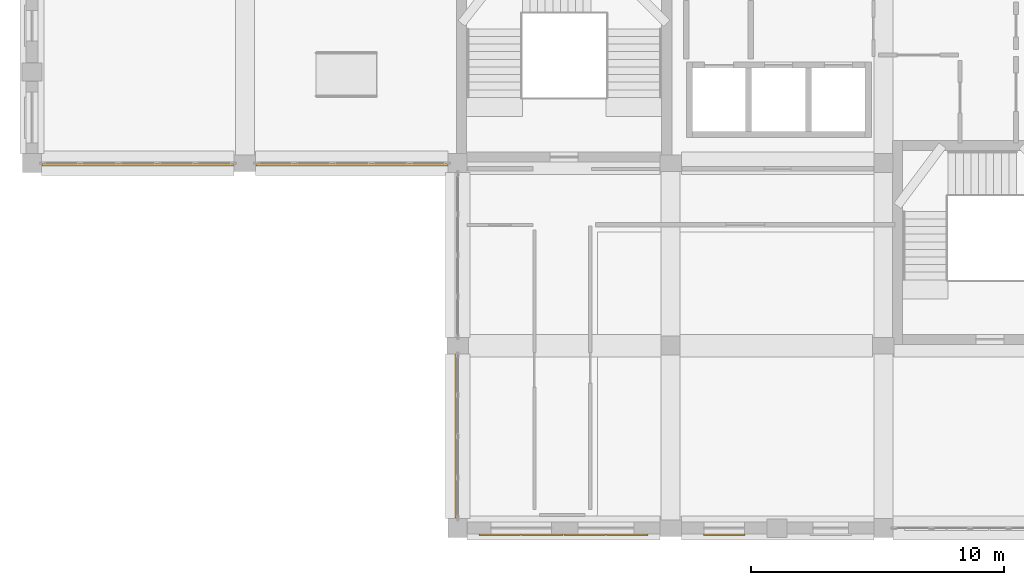
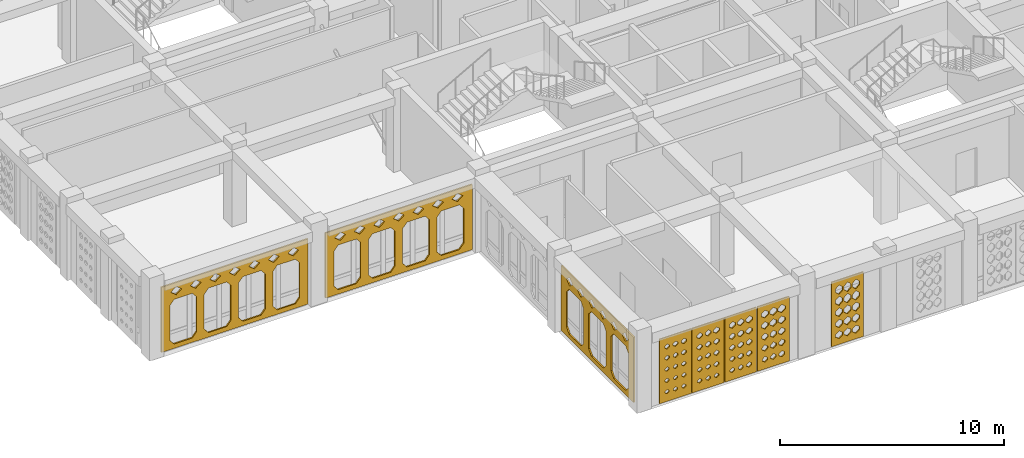
# One storey, part 90 of 121: 8 coverings.
"""IFC4 building model written with IfcOpenShell, lengths in metres."""

import ifcopenshell
import ifcopenshell.guid

model = None  # the IFC model being written
_history = None  # IfcOwnerHistory: only IFC2X3 demands one
_inside = {}  # id of a spatial element -> (the spatial element, [elements in it])
_under = {}  # id of a project, library or spatial element -> (it, [spatial elements below it])
_declared = {}  # id of a project -> (the project, [libraries it declares])
_typed = {}  # id of a type object -> (the type object, [elements of that type])
_made_of = {}  # id of a material, layer set ... -> (it, [elements and type objects made of it])


def new_model(schema):
    """Start an empty IFC model of exactly this schema.

    Asked for "IFC4X3", IfcOpenShell would pick the latest addendum, in which some entities
    have other attributes; the version numbers below select the first issue.
    IFC2X3 requires an IfcOwnerHistory on every rooted entity: one is made here for all.
    """
    global model, _history
    if schema == "IFC4X3":
        model = ifcopenshell.file(schema_version=(4, 3, 0, 0))
    else:
        model = ifcopenshell.file(schema=schema)
    _inside.clear()
    _under.clear()
    _declared.clear()
    _typed.clear()
    _made_of.clear()
    _history = None
    if model.schema == "IFC2X3":
        org = make("IfcOrganization", Name="unknown")
        user = make(
            "IfcPersonAndOrganization",
            ThePerson=make("IfcPerson", FamilyName="unknown"),
            TheOrganization=org,
        )
        app = make(
            "IfcApplication",
            ApplicationDeveloper=org,
            Version="unknown",
            ApplicationFullName="unknown",
            ApplicationIdentifier="unknown",
        )
        _history = make(
            "IfcOwnerHistory",
            OwningUser=user,
            OwningApplication=app,
            ChangeAction="ADDED",
            CreationDate=0,
        )
    return model


def make(cls, **values):
    """One entity of the class cls with the attributes given. An attribute that is None is left unset."""
    return model.create_entity(
        cls, **{name: value for name, value in values.items() if value is not None}
    )


def rooted(cls, **values):
    """An entity with a GlobalId (a new one), such as an element, a storey or a relation."""
    return make(cls, GlobalId=ifcopenshell.guid.new(), OwnerHistory=_history, **values)


def si_unit(unit_type, name, prefix=None):
    """IfcSIUnit, for example si_unit("LENGTHUNIT", "METRE", prefix="MILLI")."""
    return make("IfcSIUnit", UnitType=unit_type, Prefix=prefix, Name=name)


def derived_unit(unit_type, elements):
    """IfcDerivedUnit: a product of units, each with its exponent."""
    return make(
        "IfcDerivedUnit",
        Elements=[
            make("IfcDerivedUnitElement", Unit=unit, Exponent=power)
            for unit, power in elements
        ],
        UnitType=unit_type,
    )


def assignment(units):
    """IfcUnitAssignment: the units of a project."""
    return None if units is None else make("IfcUnitAssignment", Units=units)


def point(xyz):
    """IfcCartesianPoint."""
    return None if xyz is None else make("IfcCartesianPoint", Coordinates=xyz)


def direction(xyz):
    """IfcDirection."""
    return None if xyz is None else make("IfcDirection", DirectionRatios=xyz)


def frame(location, z_axis=None, x_axis=None):
    """IfcAxis2Placement3D, a coordinate frame: its origin and axes. An axis left out is left unset."""
    return make(
        "IfcAxis2Placement3D",
        Location=point(location),
        Axis=direction(z_axis),
        RefDirection=direction(x_axis),
    )


def origin():
    """The frame at (0, 0, 0) with its axes left unset."""
    return frame((0.0, 0.0, 0.0))


def place(relative_to, where):
    """IfcLocalPlacement: puts the frame where relative to a parent placement (None: the world)."""
    return make(
        "IfcLocalPlacement", PlacementRelTo=relative_to, RelativePlacement=where
    )


def context(
    kind, dimensions, precision=None, world=None, true_north=None, identifier=None
):
    """IfcGeometricRepresentationContext, for example the 3D "Model" context."""
    return make(
        "IfcGeometricRepresentationContext",
        ContextIdentifier=identifier,
        ContextType=kind,
        CoordinateSpaceDimension=dimensions,
        Precision=precision,
        WorldCoordinateSystem=world,
        TrueNorth=true_north,
    )


def subcontext(parent, identifier, kind, view, scale=None):
    """IfcGeometricRepresentationSubContext, for example "Body" below "Model"."""
    return make(
        "IfcGeometricRepresentationSubContext",
        ContextIdentifier=identifier,
        ContextType=kind,
        ParentContext=parent,
        TargetScale=scale,
        TargetView=view,
    )


def project(units=None, contexts=None):
    """IfcProject with its units and contexts."""
    return rooted(
        "IfcProject",
        Name="project",
        RepresentationContexts=contexts,
        UnitsInContext=assignment(units),
    )


def spatial(cls, under=None, at=None, **own):
    """A site, building, storey or space (cls), placed at a placement, below another one or the project."""
    s = rooted(cls, ObjectPlacement=at, **own)
    if under is not None:
        _under.setdefault(under.id(), (under, []))[1].append(s)
    return s


def polyline(points):
    """IfcPolyline through the points."""
    return make("IfcPolyline", Points=[point(p) for p in points])


def outline(outer, holes=None, kind="AREA"):
    """IfcArbitraryClosedProfileDef: a profile drawn as a closed curve; with holes, ...WithVoids."""
    if holes is None:
        return make("IfcArbitraryClosedProfileDef", ProfileType=kind, OuterCurve=outer)
    return make(
        "IfcArbitraryProfileDefWithVoids",
        ProfileType=kind,
        OuterCurve=outer,
        InnerCurves=holes,
    )


def extrude(swept, where, along, depth):
    """IfcExtrudedAreaSolid: the profile swept, set in the frame where, extruded along a direction by depth."""
    return make(
        "IfcExtrudedAreaSolid",
        SweptArea=swept,
        Position=where,
        ExtrudedDirection=direction(along),
        Depth=depth,
    )


def shape(context_of_items, identifier, shape_type, items):
    """IfcShapeRepresentation: the items that make up one representation, for example the "Body"."""
    return make(
        "IfcShapeRepresentation",
        ContextOfItems=context_of_items,
        RepresentationIdentifier=identifier,
        RepresentationType=shape_type,
        Items=items,
    )


def material(Name=None, Category=None):
    """IfcMaterial."""
    return make("IfcMaterial", Name=Name, Category=Category)


def layer(
    of_material, thickness, ventilated=None, Name=None, Category=None, Priority=None
):
    """IfcMaterialLayer: one layer of a wall or slab, of a material (None: an air gap)."""
    return make(
        "IfcMaterialLayer",
        Material=of_material,
        LayerThickness=thickness,
        IsVentilated=ventilated,
        Name=Name,
        Category=Category,
        Priority=Priority,
    )


def layer_set(layers, Name=None):
    """IfcMaterialLayerSet."""
    return make("IfcMaterialLayerSet", MaterialLayers=layers, LayerSetName=Name)


def made_of(thing, what):
    """Note that an element or type object is made of a material, layer set ...; save() writes the relation."""
    if what is not None:
        _made_of.setdefault(what.id(), (what, []))[1].append(thing)
    return thing


def type_object(cls, material=None, **own):
    """A type object (cls), such as IfcWallType, which elements share."""
    return made_of(rooted(cls, **own), material)


def element(
    cls,
    number,
    at=None,
    inside=None,
    cuts=None,
    type_object=None,
    material=None,
    context=None,
    identifier="Body",
    shape_type=None,
    held_by="IfcProductDefinitionShape",
    body=None,
    shapes=None,
    **own,
):
    """One element of the class cls, such as IfcWall. Its Tag is "e" and its number.

    at: its placement. inside: the storey or other place that contains it. cuts: it is an
    opening in that element (IfcRelVoidsElement). A single representation is given by context,
    identifier, shape_type and body (its items); several are given by shapes. held_by: the class
    of the entity that holds the representations. save() writes the other relations.
    """
    e = rooted(cls, Tag="e%d" % number, ObjectPlacement=at, **own)
    if body is not None:
        shapes = [shape(context, identifier, shape_type, body)]
    if shapes is not None:
        e.Representation = make(held_by, Representations=shapes)
    if inside is not None:
        _inside.setdefault(inside.id(), (inside, []))[1].append(e)
    if cuts is not None:
        rooted(
            "IfcRelVoidsElement", RelatingBuildingElement=cuts, RelatedOpeningElement=e
        )
    if type_object is not None:
        _typed.setdefault(type_object.id(), (type_object, []))[1].append(e)
    return made_of(e, material)


def aggregate(whole, parts):
    """IfcRelAggregates: a whole, such as a stair, and the parts it consists of."""
    return rooted("IfcRelAggregates", RelatingObject=whole, RelatedObjects=parts)


def save(model, path):
    """Write the relations noted so far, then the file.

    IfcRelAggregates (storeys below a building ...), IfcRelContainedInSpatialStructure (elements
    in a storey), IfcRelDefinesByType, IfcRelAssociatesMaterial and IfcRelDeclares: one each for
    every whole, place, type object, material and project.
    """
    for whole, parts in _under.values():
        aggregate(whole, parts)
    for where, things in _inside.values():
        rooted(
            "IfcRelContainedInSpatialStructure",
            RelatedElements=things,
            RelatingStructure=where,
        )
    for kind, things in _typed.values():
        rooted("IfcRelDefinesByType", RelatedObjects=things, RelatingType=kind)
    for what, things in _made_of.values():
        rooted("IfcRelAssociatesMaterial", RelatedObjects=things, RelatingMaterial=what)
    for by, libraries in _declared.values():
        rooted("IfcRelDeclares", RelatingContext=by, RelatedDefinitions=libraries)
    model.write(path)


model = new_model("IFC4")

# Units and contexts
model_context = context("Model", 3, precision=1e-05, world=origin(), true_north=direction((0.0, 1.0)))
body_context = subcontext(model_context, "Body", "Model", "MODEL_VIEW")
ifc_project = project(units=[si_unit("LENGTHUNIT", "METRE"), si_unit("AREAUNIT", "SQUARE_METRE"), si_unit("VOLUMEUNIT", "CUBIC_METRE"), si_unit("PLANEANGLEUNIT", "RADIAN"), si_unit("MASSUNIT", "GRAM", prefix="KILO"), derived_unit("THERMALTRANSMITTANCEUNIT", [(si_unit("POWERUNIT", "WATT"), 1), (si_unit("LENGTHUNIT", "METRE"), -2), (si_unit("THERMODYNAMICTEMPERATUREUNIT", "KELVIN"), -1)])], contexts=[model_context])

# Site, building, storey
site_placement = place(None, origin())
site = spatial("IfcSite", under=ifc_project, at=site_placement, CompositionType="ELEMENT")
building_placement = place(site_placement, origin())
building = spatial("IfcBuilding", under=site, at=building_placement, Name="Veybourne Emporium", CompositionType="ELEMENT")
storey_placement = place(building_placement, frame((0.0, 0.0, 5.39990234375)))
storey = spatial("IfcBuildingStorey", under=building, at=storey_placement, Name="L01", CompositionType="ELEMENT", Elevation=5.39990234375)

# Coverings
ifc_material_1 = material(Name="Patinated Dark Bronze Fretwork", Category="bronze")
ifc_layer_1 = layer(ifc_material_1, 0.074951171875)
ifc_layer_set_1 = layer_set([ifc_layer_1], Name="Patinated Dark Bronze Fretwork")
covering_type_1 = type_object("IfcCoveringType", Name="Fretwork_FRT-02", PredefinedType="CLADDING", material=ifc_layer_set_1)
covering_1_placement = place(storey_placement, frame((4.175048828125, 14.28955078125, 1.815185546875), z_axis=(0.0, 1.0, 0.0), x_axis=(-1.0, 0.0, 0.0)))
element("IfcCovering", 1, at=covering_1_placement, inside=storey, type_object=covering_type_1, Name="Corner entrance dark bronze lace fretwork portal L01-001", PredefinedType="CLADDING", context=body_context, shape_type="SweptSolid", body=[
    extrude(outline(polyline([(-3.780029296875, -1.77490234375), (3.780029296875, -1.77490234375), (3.780029296875, 1.77490234375), (-3.780029296875, 1.77490234375), (-3.780029296875, -1.77490234375)]), holes=[polyline([(-3.12451171875, 0.89501953125), (-2.185546875, 0.89501953125), (-1.964599609375, 0.627685546875), (-1.964599609375, -1.267578125), (-2.185546875, -1.534912109375), (-3.12451171875, -1.534912109375), (-3.34521484375, -1.267578125), (-3.34521484375, 0.627685546875), (-3.12451171875, 0.89501953125)]), polyline([(-1.3544921875, 0.89501953125), (-0.41552734375, 0.89501953125), (-0.194580078125, 0.627685546875), (-0.194580078125, -1.267578125), (-0.41552734375, -1.534912109375), (-1.3544921875, -1.534912109375), (-1.5751953125, -1.267578125), (-1.5751953125, 0.627685546875), (-1.3544921875, 0.89501953125)]), polyline([(0.41552734375, 0.89501953125), (1.3544921875, 0.89501953125), (1.5751953125, 0.627685546875), (1.5751953125, -1.267578125), (1.3544921875, -1.534912109375), (0.41552734375, -1.534912109375), (0.194580078125, -1.267578125), (0.194580078125, 0.627685546875), (0.41552734375, 0.89501953125)]), polyline([(2.185546875, 0.89501953125), (3.12451171875, 0.89501953125), (3.34521484375, 0.627685546875), (3.34521484375, -1.267578125), (3.12451171875, -1.534912109375), (2.185546875, -1.534912109375), (1.964599609375, -1.267578125), (1.964599609375, 0.627685546875), (2.185546875, 0.89501953125)]), polyline([(-3.01708984375, 1.56298828125), (-2.737060546875, 1.3349609375), (-3.01708984375, 1.10693359375), (-3.297119140625, 1.3349609375), (-3.01708984375, 1.56298828125)]), polyline([(-2.011474609375, 1.56298828125), (-1.7314453125, 1.3349609375), (-2.011474609375, 1.10693359375), (-2.29150390625, 1.3349609375), (-2.011474609375, 1.56298828125)]), polyline([(-1.005615234375, 1.56298828125), (-0.7255859375, 1.3349609375), (-1.005615234375, 1.10693359375), (-1.28564453125, 1.3349609375), (-1.005615234375, 1.56298828125)]), polyline([(0.0, 1.56298828125), (0.280029296875, 1.3349609375), (0.0, 1.10693359375), (-0.280029296875, 1.3349609375), (0.0, 1.56298828125)]), polyline([(1.005615234375, 1.56298828125), (1.28564453125, 1.3349609375), (1.005615234375, 1.10693359375), (0.7255859375, 1.3349609375), (1.005615234375, 1.56298828125)]), polyline([(2.011474609375, 1.56298828125), (2.29150390625, 1.3349609375), (2.011474609375, 1.10693359375), (1.7314453125, 1.3349609375), (2.011474609375, 1.56298828125)]), polyline([(3.01708984375, 1.56298828125), (3.297119140625, 1.3349609375), (3.01708984375, 1.10693359375), (2.737060546875, 1.3349609375), (3.01708984375, 1.56298828125)])]), origin(), (0.0, 0.0, 1.0), 0.074951171875),
])
covering_2_placement = place(storey_placement, frame((12.625, 14.2880859375, 1.815185546875), z_axis=(0.0, 1.0, 0.0), x_axis=(-1.0, 0.0, 0.0)))
element("IfcCovering", 2, at=covering_2_placement, inside=storey, type_object=covering_type_1, Name="Corner entrance dark bronze lace fretwork portal L01-012", PredefinedType="CLADDING", context=body_context, shape_type="SweptSolid", body=[
    extrude(outline(polyline([(-3.780029296875, -1.77490234375), (3.780029296875, -1.77490234375), (3.780029296875, 1.77490234375), (-3.780029296875, 1.77490234375), (-3.780029296875, -1.77490234375)]), holes=[polyline([(-3.12451171875, 0.89501953125), (-2.185546875, 0.89501953125), (-1.964599609375, 0.627685546875), (-1.964599609375, -1.267578125), (-2.185546875, -1.534912109375), (-3.12451171875, -1.534912109375), (-3.34521484375, -1.267578125), (-3.34521484375, 0.627685546875), (-3.12451171875, 0.89501953125)]), polyline([(-1.3544921875, 0.89501953125), (-0.41552734375, 0.89501953125), (-0.194580078125, 0.627685546875), (-0.194580078125, -1.267578125), (-0.41552734375, -1.534912109375), (-1.3544921875, -1.534912109375), (-1.5751953125, -1.267578125), (-1.5751953125, 0.627685546875), (-1.3544921875, 0.89501953125)]), polyline([(0.41552734375, 0.89501953125), (1.3544921875, 0.89501953125), (1.5751953125, 0.627685546875), (1.5751953125, -1.267578125), (1.3544921875, -1.534912109375), (0.41552734375, -1.534912109375), (0.194580078125, -1.267578125), (0.194580078125, 0.627685546875), (0.41552734375, 0.89501953125)]), polyline([(2.185546875, 0.89501953125), (3.12451171875, 0.89501953125), (3.34521484375, 0.627685546875), (3.34521484375, -1.267578125), (3.12451171875, -1.534912109375), (2.185546875, -1.534912109375), (1.964599609375, -1.267578125), (1.964599609375, 0.627685546875), (2.185546875, 0.89501953125)]), polyline([(-3.01708984375, 1.56298828125), (-2.737060546875, 1.3349609375), (-3.01708984375, 1.10693359375), (-3.297119140625, 1.3349609375), (-3.01708984375, 1.56298828125)]), polyline([(-2.011474609375, 1.56298828125), (-1.7314453125, 1.3349609375), (-2.011474609375, 1.10693359375), (-2.29150390625, 1.3349609375), (-2.011474609375, 1.56298828125)]), polyline([(-1.005615234375, 1.56298828125), (-0.7255859375, 1.3349609375), (-1.005615234375, 1.10693359375), (-1.28564453125, 1.3349609375), (-1.005615234375, 1.56298828125)]), polyline([(0.0, 1.56298828125), (0.280029296875, 1.3349609375), (0.0, 1.10693359375), (-0.280029296875, 1.3349609375), (0.0, 1.56298828125)]), polyline([(1.005615234375, 1.56298828125), (1.28564453125, 1.3349609375), (1.005615234375, 1.10693359375), (0.7255859375, 1.3349609375), (1.005615234375, 1.56298828125)]), polyline([(2.011474609375, 1.56298828125), (2.29150390625, 1.3349609375), (2.011474609375, 1.10693359375), (1.7314453125, 1.3349609375), (2.011474609375, 1.56298828125)]), polyline([(3.01708984375, 1.56298828125), (3.297119140625, 1.3349609375), (3.01708984375, 1.10693359375), (2.737060546875, 1.3349609375), (3.01708984375, 1.56298828125)])]), origin(), (0.0, 0.0, 1.0), 0.074951171875),
])
covering_3_placement = place(storey_placement, frame((16.69189453125, 3.625, 1.815185546875), z_axis=(1.0, 0.0, 0.0), x_axis=(0.0, 1.0, 0.0)))
element("IfcCovering", 3, at=covering_3_placement, inside=storey, type_object=covering_type_1, Name="Corner entrance dark bronze lace fretwork portal L01-015", PredefinedType="CLADDING", context=body_context, shape_type="SweptSolid", body=[
    extrude(outline(polyline([(-3.22998046875, -1.77490234375), (3.22998046875, -1.77490234375), (3.22998046875, 1.77490234375), (-3.22998046875, 1.77490234375), (-3.22998046875, -1.77490234375)]), holes=[polyline([(-2.52197265625, 0.89501953125), (-1.464599609375, 0.89501953125), (-1.2158203125, 0.627685546875), (-1.2158203125, -1.267578125), (-1.464599609375, -1.534912109375), (-2.52197265625, -1.534912109375), (-2.770751953125, -1.267578125), (-2.770751953125, 0.627685546875), (-2.52197265625, 0.89501953125)]), polyline([(-0.528564453125, 0.89501953125), (0.528564453125, 0.89501953125), (0.77734375, 0.627685546875), (0.77734375, -1.267578125), (0.528564453125, -1.534912109375), (-0.528564453125, -1.534912109375), (-0.77734375, -1.267578125), (-0.77734375, 0.627685546875), (-0.528564453125, 0.89501953125)]), polyline([(1.464599609375, 0.89501953125), (2.52197265625, 0.89501953125), (2.770751953125, 0.627685546875), (2.770751953125, -1.267578125), (2.52197265625, -1.534912109375), (1.464599609375, -1.534912109375), (1.2158203125, -1.267578125), (1.2158203125, 0.627685546875), (1.464599609375, 0.89501953125)]), polyline([(-2.47509765625, 1.56298828125), (-2.195068359375, 1.3349609375), (-2.47509765625, 1.10693359375), (-2.7548828125, 1.3349609375), (-2.47509765625, 1.56298828125)]), polyline([(-1.485107421875, 1.56298828125), (-1.205078125, 1.3349609375), (-1.485107421875, 1.10693359375), (-1.764892578125, 1.3349609375), (-1.485107421875, 1.56298828125)]), polyline([(-0.4951171875, 1.56298828125), (-0.215087890625, 1.3349609375), (-0.4951171875, 1.10693359375), (-0.77490234375, 1.3349609375), (-0.4951171875, 1.56298828125)]), polyline([(0.4951171875, 1.56298828125), (0.77490234375, 1.3349609375), (0.4951171875, 1.10693359375), (0.215087890625, 1.3349609375), (0.4951171875, 1.56298828125)]), polyline([(1.485107421875, 1.56298828125), (1.764892578125, 1.3349609375), (1.485107421875, 1.10693359375), (1.205078125, 1.3349609375), (1.485107421875, 1.56298828125)]), polyline([(2.47509765625, 1.56298828125), (2.7548828125, 1.3349609375), (2.47509765625, 1.10693359375), (2.195068359375, 1.3349609375), (2.47509765625, 1.56298828125)])]), origin(), (0.0, 0.0, 1.0), 0.074951171875),
])
ifc_material_2 = material(Name="Warm-White Perforated Aluminium Screen Alloy", Category="aluminium")
ifc_layer_2 = layer(ifc_material_2, 0.06005859375)
ifc_layer_set_2 = layer_set([ifc_layer_2], Name="Warm-White Perforated Aluminium Screen Alloy")
covering_type_2 = type_object("IfcCoveringType", Name="WaveScreen_SCR-01", PredefinedType="CLADDING", material=ifc_layer_set_2)
covering_4_placement = place(storey_placement, frame((23.4951171875, -0.298095703125, 1.815185546875), z_axis=(0.0, 1.0, 0.0), x_axis=(-1.0, 0.0, 0.0)))
element("IfcCovering", 4, at=covering_4_placement, inside=storey, type_object=covering_type_2, Name="L01 wave-perforated aluminium screen SCR-01 (14.1)", PredefinedType="CLADDING", context=body_context, shape_type="SweptSolid", body=[
    extrude(outline(polyline([(-0.81982421875, -1.7548828125), (0.81982421875, -1.7548828125), (0.81982421875, 1.7548828125), (-0.81982421875, 1.7548828125), (-0.81982421875, -1.7548828125)]), holes=[polyline([(-0.433349609375, -1.063720703125), (-0.288818359375, -1.168701171875), (-0.288818359375, -1.287109375), (-0.433349609375, -1.392333984375), (-0.577880859375, -1.287109375), (-0.577880859375, -1.168701171875), (-0.433349609375, -1.063720703125)]), polyline([(-0.433349609375, -0.435791015625), (-0.277587890625, -0.5498046875), (-0.277587890625, -0.677978515625), (-0.433349609375, -0.7919921875), (-0.589111328125, -0.677978515625), (-0.589111328125, -0.5498046875), (-0.433349609375, -0.435791015625)]), polyline([(-0.433349609375, 0.192138671875), (-0.26611328125, 0.069091796875), (-0.26611328125, -0.069091796875), (-0.433349609375, -0.192138671875), (-0.6005859375, -0.069091796875), (-0.6005859375, 0.069091796875), (-0.433349609375, 0.192138671875)]), polyline([(-0.433349609375, 0.8203125), (-0.254638671875, 0.688232421875), (-0.254638671875, 0.539794921875), (-0.433349609375, 0.40771484375), (-0.612060546875, 0.539794921875), (-0.612060546875, 0.688232421875), (-0.433349609375, 0.8203125)]), polyline([(-0.433349609375, 1.447998046875), (-0.2470703125, 1.30712890625), (-0.2470703125, 1.148681640625), (-0.433349609375, 1.008056640625), (-0.61962890625, 1.148681640625), (-0.61962890625, 1.30712890625), (-0.433349609375, 1.447998046875)]), polyline([(0.0, -1.069580078125), (0.1396484375, -1.1708984375), (0.1396484375, -1.284912109375), (0.0, -1.386474609375), (-0.1396484375, -1.284912109375), (-0.1396484375, -1.1708984375), (0.0, -1.069580078125)]), polyline([(0.0, -0.442138671875), (0.150390625, -0.55224609375), (0.150390625, -0.67578125), (0.0, -0.785888671875), (-0.150390625, -0.67578125), (-0.150390625, -0.55224609375), (0.0, -0.442138671875)]), polyline([(0.0, 0.185791015625), (0.162109375, 0.06689453125), (0.162109375, -0.06689453125), (0.0, -0.185791015625), (-0.162109375, -0.06689453125), (-0.162109375, 0.06689453125), (0.0, 0.185791015625)]), polyline([(0.0, 0.81396484375), (0.173583984375, 0.68603515625), (0.173583984375, 0.5419921875), (0.0, 0.4140625), (-0.173583984375, 0.5419921875), (-0.173583984375, 0.68603515625), (0.0, 0.81396484375)]), polyline([(0.0, 1.44189453125), (0.18505859375, 1.304931640625), (0.18505859375, 1.15087890625), (0.0, 1.01416015625), (-0.18505859375, 1.15087890625), (-0.18505859375, 1.304931640625), (0.0, 1.44189453125)]), polyline([(0.433349609375, -1.0751953125), (0.568115234375, -1.173095703125), (0.568115234375, -1.282958984375), (0.433349609375, -1.380615234375), (0.29833984375, -1.282958984375), (0.29833984375, -1.173095703125), (0.433349609375, -1.0751953125)]), polyline([(0.433349609375, -0.448486328125), (0.578857421875, -0.554443359375), (0.578857421875, -0.673583984375), (0.433349609375, -0.779541015625), (0.287841796875, -0.673583984375), (0.287841796875, -0.554443359375), (0.433349609375, -0.448486328125)]), polyline([(0.433349609375, 0.17919921875), (0.590087890625, 0.064697265625), (0.590087890625, -0.064697265625), (0.433349609375, -0.17919921875), (0.276611328125, -0.064697265625), (0.276611328125, 0.064697265625), (0.433349609375, 0.17919921875)]), polyline([(0.433349609375, 0.8076171875), (0.6015625, 0.68359375), (0.6015625, 0.544189453125), (0.433349609375, 0.42041015625), (0.264892578125, 0.544189453125), (0.264892578125, 0.68359375), (0.433349609375, 0.8076171875)]), polyline([(0.433349609375, 1.435546875), (0.61328125, 1.302734375), (0.61328125, 1.1533203125), (0.433349609375, 1.0205078125), (0.25341796875, 1.1533203125), (0.25341796875, 1.302734375), (0.433349609375, 1.435546875)])]), origin(), (0.0, 0.0, 1.0), 0.06005859375),
])
ifc_layer_3 = layer(ifc_material_2, 0.06005859375)
ifc_layer_set_3 = layer_set([ifc_layer_3], Name="Warm-White Perforated Aluminium Screen Alloy")
covering_type_3 = type_object("IfcCoveringType", Name="WaveScreen_SCR-02", PredefinedType="CLADDING", material=ifc_layer_set_3)
covering_5_placement = place(storey_placement, frame((21.81494140625, -0.298095703125, 1.815185546875), z_axis=(0.0, 1.0, 0.0), x_axis=(-1.0, 0.0, 0.0)))
element("IfcCovering", 5, at=covering_5_placement, inside=storey, type_object=covering_type_3, Name="L01 wave-perforated aluminium screen SCR-02 (14.2)", PredefinedType="CLADDING", context=body_context, shape_type="SweptSolid", body=[
    extrude(outline(polyline([(-0.81982421875, -1.7548828125), (0.81982421875, -1.7548828125), (0.81982421875, 1.7548828125), (-0.81982421875, 1.7548828125), (-0.81982421875, -1.7548828125)]), holes=[polyline([(-0.433349609375, -1.08544921875), (-0.306640625, -1.1767578125), (-0.306640625, -1.279296875), (-0.433349609375, -1.37060546875), (-0.56005859375, -1.279296875), (-0.56005859375, -1.1767578125), (-0.433349609375, -1.08544921875)]), polyline([(-0.433349609375, -0.45947265625), (-0.296875, -0.558349609375), (-0.296875, -0.669677734375), (-0.433349609375, -0.7685546875), (-0.56982421875, -0.669677734375), (-0.56982421875, -0.558349609375), (-0.433349609375, -0.45947265625)]), polyline([(-0.433349609375, 0.16748046875), (-0.2861328125, 0.060302734375), (-0.2861328125, -0.060302734375), (-0.433349609375, -0.16748046875), (-0.58056640625, -0.060302734375), (-0.58056640625, 0.060302734375), (-0.433349609375, 0.16748046875)]), polyline([(-0.433349609375, 0.79541015625), (-0.27490234375, 0.67919921875), (-0.27490234375, 0.548583984375), (-0.433349609375, 0.4326171875), (-0.591796875, 0.548583984375), (-0.591796875, 0.67919921875), (-0.433349609375, 0.79541015625)]), polyline([(-0.433349609375, 1.423583984375), (-0.26318359375, 1.29833984375), (-0.26318359375, 1.15771484375), (-0.433349609375, 1.032470703125), (-0.603515625, 1.15771484375), (-0.603515625, 1.29833984375), (-0.433349609375, 1.423583984375)]), polyline([(0.0, -1.09033203125), (0.12255859375, -1.178466796875), (0.12255859375, -1.277587890625), (0.0, -1.365478515625), (-0.12255859375, -1.277587890625), (-0.12255859375, -1.178466796875), (0.0, -1.09033203125)]), polyline([(0.0, -0.465087890625), (0.1318359375, -0.560302734375), (0.1318359375, -0.66748046875), (0.0, -0.762939453125), (-0.1318359375, -0.66748046875), (-0.1318359375, -0.560302734375), (0.0, -0.465087890625)]), polyline([(0.0, 0.16162109375), (0.14208984375, 0.05810546875), (0.14208984375, -0.05810546875), (0.0, -0.16162109375), (-0.14208984375, -0.05810546875), (-0.14208984375, 0.05810546875), (0.0, 0.16162109375)]), polyline([(0.0, 0.7890625), (0.1533203125, 0.677001953125), (0.1533203125, 0.551025390625), (0.0, 0.43896484375), (-0.1533203125, 0.551025390625), (-0.1533203125, 0.677001953125), (0.0, 0.7890625)]), polyline([(0.0, 1.4169921875), (0.164794921875, 1.296142578125), (0.164794921875, 1.159912109375), (0.0, 1.038818359375), (-0.164794921875, 1.159912109375), (-0.164794921875, 1.296142578125), (0.0, 1.4169921875)]), polyline([(0.433349609375, -1.094970703125), (0.552001953125, -1.18017578125), (0.552001953125, -1.27587890625), (0.433349609375, -1.361083984375), (0.314697265625, -1.27587890625), (0.314697265625, -1.18017578125), (0.433349609375, -1.094970703125)]), polyline([(0.433349609375, -0.470458984375), (0.560791015625, -0.562255859375), (0.560791015625, -0.665771484375), (0.433349609375, -0.757568359375), (0.305908203125, -0.665771484375), (0.305908203125, -0.562255859375), (0.433349609375, -0.470458984375)]), polyline([(0.433349609375, 0.15576171875), (0.57080078125, 0.055908203125), (0.57080078125, -0.055908203125), (0.433349609375, -0.15576171875), (0.2958984375, -0.055908203125), (0.2958984375, 0.055908203125), (0.433349609375, 0.15576171875)]), polyline([(0.433349609375, 0.782958984375), (0.58154296875, 0.6748046875), (0.58154296875, 0.55322265625), (0.433349609375, 0.445068359375), (0.28515625, 0.55322265625), (0.28515625, 0.6748046875), (0.433349609375, 0.782958984375)]), polyline([(0.433349609375, 1.41064453125), (0.5927734375, 1.293701171875), (0.5927734375, 1.162109375), (0.433349609375, 1.04541015625), (0.273681640625, 1.162109375), (0.273681640625, 1.293701171875), (0.433349609375, 1.41064453125)])]), origin(), (0.0, 0.0, 1.0), 0.06005859375),
])
covering_6_placement = place(storey_placement, frame((27.3125, -0.298095703125, 1.815185546875), z_axis=(0.0, 1.0, 0.0), x_axis=(-1.0, 0.0, 0.0)))
element("IfcCovering", 6, at=covering_6_placement, inside=storey, type_object=covering_type_3, Name="L01 wave-perforated aluminium screen SCR-02 (19B.1)", PredefinedType="CLADDING", context=body_context, shape_type="SweptSolid", body=[
    extrude(outline(polyline([(-0.81982421875, -1.7548828125), (0.81982421875, -1.7548828125), (0.81982421875, 1.7548828125), (-0.81982421875, 1.7548828125), (-0.81982421875, -1.7548828125)]), holes=[polyline([(-0.433349609375, -1.008056640625), (-0.2470703125, -1.148681640625), (-0.2470703125, -1.30712890625), (-0.433349609375, -1.447998046875), (-0.61962890625, -1.30712890625), (-0.61962890625, -1.148681640625), (-0.433349609375, -1.008056640625)]), polyline([(-0.433349609375, -0.381103515625), (-0.2470703125, -0.5302734375), (-0.2470703125, -0.69775390625), (-0.433349609375, -0.846923828125), (-0.61962890625, -0.69775390625), (-0.61962890625, -0.5302734375), (-0.433349609375, -0.381103515625)]), polyline([(-0.433349609375, 0.24462890625), (-0.2470703125, 0.087890625), (-0.2470703125, -0.087890625), (-0.433349609375, -0.24462890625), (-0.61962890625, -0.087890625), (-0.61962890625, 0.087890625), (-0.433349609375, 0.24462890625)]), polyline([(-0.433349609375, 0.86865234375), (-0.2470703125, 0.705810546875), (-0.2470703125, 0.522216796875), (-0.433349609375, 0.359375), (-0.61962890625, 0.522216796875), (-0.61962890625, 0.705810546875), (-0.433349609375, 0.86865234375)]), polyline([(-0.433349609375, 1.4912109375), (-0.2470703125, 1.32275390625), (-0.2470703125, 1.13330078125), (-0.433349609375, 0.96484375), (-0.61962890625, 1.13330078125), (-0.61962890625, 1.32275390625), (-0.433349609375, 1.4912109375)]), polyline([(0.0, -1.01416015625), (0.184814453125, -1.15087890625), (0.184814453125, -1.304931640625), (0.0, -1.44189453125), (-0.184814453125, -1.304931640625), (-0.184814453125, -1.15087890625), (0.0, -1.01416015625)]), polyline([(0.0, -0.386962890625), (0.186279296875, -0.5322265625), (0.186279296875, -0.69580078125), (0.0, -0.841064453125), (-0.186279296875, -0.69580078125), (-0.186279296875, -0.5322265625), (0.0, -0.386962890625)]), polyline([(0.0, 0.239501953125), (0.186279296875, 0.086181640625), (0.186279296875, -0.086181640625), (0.0, -0.239501953125), (-0.186279296875, -0.086181640625), (-0.186279296875, 0.086181640625), (0.0, 0.239501953125)]), polyline([(0.0, 0.8642578125), (0.186279296875, 0.7041015625), (0.186279296875, 0.52392578125), (0.0, 0.36376953125), (-0.186279296875, 0.52392578125), (-0.186279296875, 0.7041015625), (0.0, 0.8642578125)]), polyline([(0.0, 1.487548828125), (0.186279296875, 1.3212890625), (0.186279296875, 1.134521484375), (0.0, 0.968505859375), (-0.186279296875, 1.134521484375), (-0.186279296875, 1.3212890625), (0.0, 1.487548828125)]), polyline([(0.433349609375, -1.0205078125), (0.613037109375, -1.1533203125), (0.613037109375, -1.302734375), (0.433349609375, -1.435546875), (0.25341796875, -1.302734375), (0.25341796875, -1.1533203125), (0.433349609375, -1.0205078125)]), polyline([(0.433349609375, -0.392822265625), (0.61962890625, -0.534423828125), (0.61962890625, -0.693603515625), (0.433349609375, -0.835205078125), (0.2470703125, -0.693603515625), (0.2470703125, -0.534423828125), (0.433349609375, -0.392822265625)]), polyline([(0.433349609375, 0.23388671875), (0.61962890625, 0.084228515625), (0.61962890625, -0.084228515625), (0.433349609375, -0.23388671875), (0.2470703125, -0.084228515625), (0.2470703125, 0.084228515625), (0.433349609375, 0.23388671875)]), polyline([(0.433349609375, 0.859619140625), (0.61962890625, 0.702392578125), (0.61962890625, 0.525634765625), (0.433349609375, 0.368408203125), (0.2470703125, 0.525634765625), (0.2470703125, 0.702392578125), (0.433349609375, 0.859619140625)]), polyline([(0.433349609375, 1.483642578125), (0.61962890625, 1.320068359375), (0.61962890625, 1.135986328125), (0.433349609375, 0.972412109375), (0.2470703125, 1.135986328125), (0.2470703125, 1.320068359375), (0.433349609375, 1.483642578125)])]), origin(), (0.0, 0.0, 1.0), 0.06005859375),
])
ifc_layer_4 = layer(ifc_material_2, 0.06005859375)
ifc_layer_set_4 = layer_set([ifc_layer_4], Name="Warm-White Perforated Aluminium Screen Alloy")
covering_type_4 = type_object("IfcCoveringType", Name="WaveScreen_SCR-03", PredefinedType="CLADDING", material=ifc_layer_set_4)
covering_7_placement = place(storey_placement, frame((20.135009765625, -0.298095703125, 1.815185546875), z_axis=(0.0, 1.0, 0.0), x_axis=(-1.0, 0.0, 0.0)))
element("IfcCovering", 7, at=covering_7_placement, inside=storey, type_object=covering_type_4, Name="L01 wave-perforated aluminium screen SCR-03 (14.3)", PredefinedType="CLADDING", context=body_context, shape_type="SweptSolid", body=[
    extrude(outline(polyline([(-0.81982421875, -1.7548828125), (0.81982421875, -1.7548828125), (0.81982421875, 1.7548828125), (-0.81982421875, 1.7548828125), (-0.81982421875, -1.7548828125)]), holes=[polyline([(-0.433349609375, -1.102783203125), (-0.32080078125, -1.182861328125), (-0.32080078125, -1.273193359375), (-0.433349609375, -1.353271484375), (-0.5458984375, -1.273193359375), (-0.5458984375, -1.182861328125), (-0.433349609375, -1.102783203125)]), polyline([(-0.433349609375, -0.4794921875), (-0.313232421875, -0.565673828125), (-0.313232421875, -0.662353515625), (-0.433349609375, -0.748291015625), (-0.55322265625, -0.662353515625), (-0.55322265625, -0.565673828125), (-0.433349609375, -0.4794921875)]), polyline([(-0.433349609375, 0.145263671875), (-0.304443359375, 0.05224609375), (-0.304443359375, -0.05224609375), (-0.433349609375, -0.145263671875), (-0.562255859375, -0.05224609375), (-0.562255859375, 0.05224609375), (-0.433349609375, 0.145263671875)]), polyline([(-0.433349609375, 0.771484375), (-0.29443359375, 0.670654296875), (-0.29443359375, 0.557373046875), (-0.433349609375, 0.456298828125), (-0.572265625, 0.557373046875), (-0.572265625, 0.670654296875), (-0.433349609375, 0.771484375)]), polyline([(-0.433349609375, 1.39892578125), (-0.283447265625, 1.28955078125), (-0.283447265625, 1.16650390625), (-0.433349609375, 1.05712890625), (-0.5830078125, 1.16650390625), (-0.5830078125, 1.28955078125), (-0.433349609375, 1.39892578125)]), polyline([(0.0, -1.106201171875), (0.109619140625, -1.18408203125), (0.109619140625, -1.271728515625), (0.0, -1.349609375), (-0.109619140625, -1.271728515625), (-0.109619140625, -1.18408203125), (0.0, -1.106201171875)]), polyline([(0.0, -0.48388671875), (0.116455078125, -0.567138671875), (0.116455078125, -0.660888671875), (0.0, -0.743896484375), (-0.116455078125, -0.660888671875), (-0.116455078125, -0.567138671875), (0.0, -0.48388671875)]), polyline([(0.0, 0.14013671875), (0.124755859375, 0.050537109375), (0.124755859375, -0.050537109375), (0.0, -0.14013671875), (-0.124755859375, -0.050537109375), (-0.124755859375, 0.050537109375), (0.0, 0.14013671875)]), polyline([(0.0, 0.765869140625), (0.13427734375, 0.668701171875), (0.13427734375, 0.559326171875), (0.0, 0.462158203125), (-0.13427734375, 0.559326171875), (-0.13427734375, 0.668701171875), (0.0, 0.765869140625)]), polyline([(0.0, 1.392578125), (0.144775390625, 1.287353515625), (0.144775390625, 1.168701171875), (0.0, 1.063232421875), (-0.144775390625, 1.168701171875), (-0.144775390625, 1.287353515625), (0.0, 1.392578125)]), polyline([(0.433349609375, -1.109375), (0.540283203125, -1.185302734375), (0.540283203125, -1.270751953125), (0.433349609375, -1.3466796875), (0.326416015625, -1.270751953125), (0.326416015625, -1.185302734375), (0.433349609375, -1.109375)]), polyline([(0.433349609375, -0.488037109375), (0.54638671875, -0.568603515625), (0.54638671875, -0.659423828125), (0.433349609375, -0.739990234375), (0.3203125, -0.659423828125), (0.3203125, -0.568603515625), (0.433349609375, -0.488037109375)]), polyline([(0.433349609375, 0.135498046875), (0.55419921875, 0.048583984375), (0.55419921875, -0.048583984375), (0.433349609375, -0.135498046875), (0.3125, -0.048583984375), (0.3125, 0.048583984375), (0.433349609375, 0.135498046875)]), polyline([(0.433349609375, 0.760498046875), (0.56298828125, 0.666748046875), (0.56298828125, 0.561279296875), (0.433349609375, 0.467529296875), (0.3037109375, 0.561279296875), (0.3037109375, 0.666748046875), (0.433349609375, 0.760498046875)]), polyline([(0.433349609375, 1.38671875), (0.5732421875, 1.28515625), (0.5732421875, 1.1708984375), (0.433349609375, 1.069091796875), (0.29345703125, 1.1708984375), (0.29345703125, 1.28515625), (0.433349609375, 1.38671875)])]), origin(), (0.0, 0.0, 1.0), 0.06005859375),
])
ifc_layer_5 = layer(ifc_material_2, 0.06005859375)
ifc_layer_set_5 = layer_set([ifc_layer_5], Name="Warm-White Perforated Aluminium Screen Alloy")
covering_type_5 = type_object("IfcCoveringType", Name="WaveScreen_SCR-04", PredefinedType="CLADDING", material=ifc_layer_set_5)
covering_8_placement = place(storey_placement, frame((18.455078125, -0.298095703125, 1.815185546875), z_axis=(0.0, 1.0, 0.0), x_axis=(-1.0, 0.0, 0.0)))
element("IfcCovering", 8, at=covering_8_placement, inside=storey, type_object=covering_type_5, Name="L01 wave-perforated aluminium screen SCR-04 (14.4)", PredefinedType="CLADDING", context=body_context, shape_type="SweptSolid", body=[
    extrude(outline(polyline([(-0.81982421875, -1.7548828125), (0.81982421875, -1.7548828125), (0.81982421875, 1.7548828125), (-0.81982421875, 1.7548828125), (-0.81982421875, -1.7548828125)]), holes=[polyline([(-0.433349609375, -1.114013671875), (-0.330078125, -1.18701171875), (-0.330078125, -1.26904296875), (-0.433349609375, -1.342041015625), (-0.53662109375, -1.26904296875), (-0.53662109375, -1.18701171875), (-0.433349609375, -1.114013671875)]), polyline([(-0.433349609375, -0.494384765625), (-0.325439453125, -0.57080078125), (-0.325439453125, -0.656982421875), (-0.433349609375, -0.733642578125), (-0.541259765625, -0.656982421875), (-0.541259765625, -0.57080078125), (-0.433349609375, -0.494384765625)]), polyline([(-0.433349609375, 0.127197265625), (-0.319091796875, 0.0458984375), (-0.319091796875, -0.0458984375), (-0.433349609375, -0.127197265625), (-0.547607421875, -0.0458984375), (-0.547607421875, 0.0458984375), (-0.433349609375, 0.127197265625)]), polyline([(-0.433349609375, 0.7509765625), (-0.311279296875, 0.663330078125), (-0.311279296875, 0.564697265625), (-0.433349609375, 0.47705078125), (-0.555419921875, 0.564697265625), (-0.555419921875, 0.663330078125), (-0.433349609375, 0.7509765625)]), polyline([(-0.433349609375, 1.376220703125), (-0.302001953125, 1.28125), (-0.302001953125, 1.1748046875), (-0.433349609375, 1.079833984375), (-0.564697265625, 1.1748046875), (-0.564697265625, 1.28125), (-0.433349609375, 1.376220703125)]), polyline([(0.0, -1.11572265625), (0.101806640625, -1.1875), (0.101806640625, -1.268310546875), (0.0, -1.34033203125), (-0.101806640625, -1.268310546875), (-0.101806640625, -1.1875), (0.0, -1.11572265625)]), polyline([(0.0, -0.497314453125), (0.105712890625, -0.572021484375), (0.105712890625, -0.656005859375), (0.0, -0.730712890625), (-0.105712890625, -0.656005859375), (-0.105712890625, -0.572021484375), (0.0, -0.497314453125)]), polyline([(0.0, 0.12353515625), (0.111083984375, 0.04443359375), (0.111083984375, -0.04443359375), (0.0, -0.12353515625), (-0.111083984375, -0.04443359375), (-0.111083984375, 0.04443359375), (0.0, 0.12353515625)]), polyline([(0.0, 0.746337890625), (0.118408203125, 0.66162109375), (0.118408203125, 0.56640625), (0.0, 0.481689453125), (-0.118408203125, 0.56640625), (-0.118408203125, 0.66162109375), (0.0, 0.746337890625)]), polyline([(0.0, 1.370849609375), (0.126953125, 1.279296875), (0.126953125, 1.176513671875), (0.0, 1.085205078125), (-0.126953125, 1.176513671875), (-0.126953125, 1.279296875), (0.0, 1.370849609375)]), polyline([(0.433349609375, -1.116943359375), (0.5341796875, -1.18798828125), (0.5341796875, -1.26806640625), (0.433349609375, -1.339111328125), (0.33251953125, -1.26806640625), (0.33251953125, -1.18798828125), (0.433349609375, -1.116943359375)]), polyline([(0.433349609375, -0.49951171875), (0.537109375, -0.57275390625), (0.537109375, -0.6552734375), (0.433349609375, -0.728515625), (0.32958984375, -0.6552734375), (0.32958984375, -0.57275390625), (0.433349609375, -0.49951171875)]), polyline([(0.433349609375, 0.1201171875), (0.541748046875, 0.043212890625), (0.541748046875, -0.043212890625), (0.433349609375, -0.1201171875), (0.324951171875, -0.043212890625), (0.324951171875, 0.043212890625), (0.433349609375, 0.1201171875)]), polyline([(0.433349609375, 0.7421875), (0.548095703125, 0.66015625), (0.548095703125, 0.56787109375), (0.433349609375, 0.48583984375), (0.318603515625, 0.56787109375), (0.318603515625, 0.66015625), (0.433349609375, 0.7421875)]), polyline([(0.433349609375, 1.365966796875), (0.55615234375, 1.277587890625), (0.55615234375, 1.178466796875), (0.433349609375, 1.090087890625), (0.310546875, 1.178466796875), (0.310546875, 1.277587890625), (0.433349609375, 1.365966796875)])]), origin(), (0.0, 0.0, 1.0), 0.06005859375),
])

save(model, "model.ifc")
